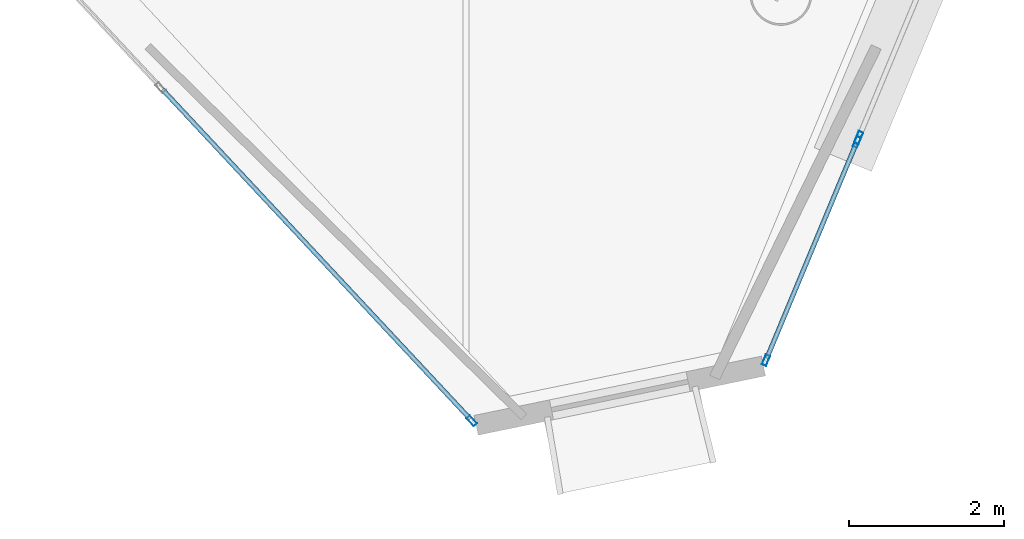
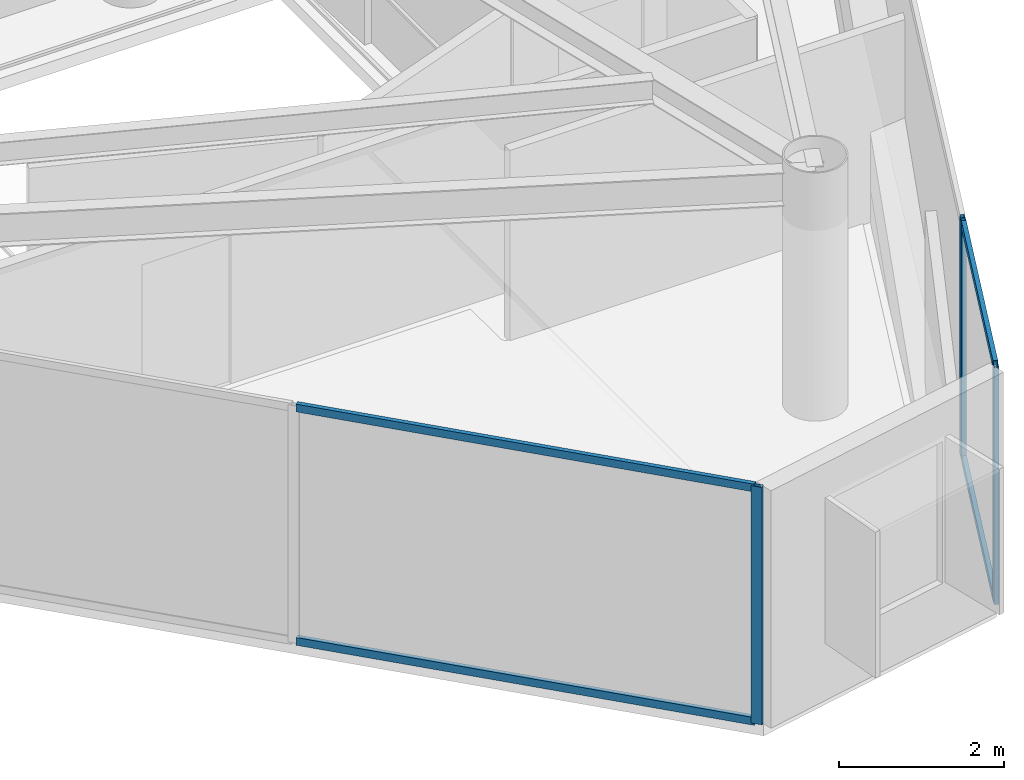
# One storey, part 4 of 19: 8 members, 3 elements without a shape of their own.
"""IFC4 building model written with IfcOpenShell, lengths in metres."""

from ifc_helpers import new_model, si_unit, direction, frame, origin, origin_2d, place, context, subcontext, project, spatial, hollow_rectangle, extrude, material, layer, layer_set, material_profile, profile_set, type_object, element, aggregate, save


model = new_model("IFC4")

# Units and contexts
model_context = context("Model", 3, precision=1e-05, world=origin(), true_north=direction((0.0, 1.0)))
body_context = subcontext(model_context, "Body", "Model", "MODEL_VIEW")
ifc_project = project(units=[si_unit("LENGTHUNIT", "METRE"), si_unit("AREAUNIT", "SQUARE_METRE"), si_unit("VOLUMEUNIT", "CUBIC_METRE"), si_unit("PLANEANGLEUNIT", "RADIAN"), si_unit("MASSUNIT", "GRAM", prefix="KILO")], contexts=[model_context])

# Site, building, storey
site_placement = place(None, origin())
site = spatial("IfcSite", under=ifc_project, at=site_placement, CompositionType="ELEMENT")
building_placement = place(site_placement, origin())
building = spatial("IfcBuilding", under=site, at=building_placement, Name="Qianvela Tower", CompositionType="ELEMENT")
storey_placement = place(building_placement, frame((0.0, 0.0, 333.300048828125)))
storey = spatial("IfcBuildingStorey", under=building, at=storey_placement, Name="L86", CompositionType="ELEMENT", Elevation=333.300048828125)

# Curtain wall, member
ifc_material_1 = material(Name="Anodised Architectural Aluminium and Insulated Spandrel Panel", Category="aluminium")
ifc_layer_1 = layer(ifc_material_1, 0.179931640625)
ifc_layer_set_1 = layer_set([ifc_layer_1], Name="Anodised Architectural Aluminium and Insulated Spandrel Panel")
curtain_wall_type_1 = type_object("IfcCurtainWallType", Name="CW-BRACEBAY", PredefinedType="USERDEFINED", material=ifc_layer_set_1)
curtain_wall_1_placement = place(storey_placement, origin())
curtain_wall_1 = element("IfcCurtainWall", 1, at=curtain_wall_1_placement, inside=storey, type_object=curtain_wall_type_1, Name="L86 CW-BRACEBAY Curtain Wall 06B", ObjectType="CURTAIN_WALL_SYSTEM", PredefinedType="USERDEFINED")
ifc_material_2 = material(Name="Anodised Architectural Aluminium 6063-T6", Category="aluminium")
ifc_material_profile_1 = material_profile(ifc_material_2, hollow_rectangle(XDim=0.06494140625, YDim=0.159912109375, WallThickness=0.0048828125, at=origin_2d()), Name="ALU-MULL-65x160")
ifc_profile_set_1 = profile_set([ifc_material_profile_1], Name="Anodised Architectural Aluminium 6063-T6")
member_type_1 = type_object("IfcMemberType", Name="CW-BRACEBAY-MULL", PredefinedType="MULLION", material=ifc_profile_set_1)
member_1_placement = place(storey_placement, frame((42.22119140625, 10.24169921875, 0.0), z_axis=(0.0, 0.0, 1.0), x_axis=(-0.923163052231, 0.38440860942, 0.0)))
member_1 = element("IfcMember", 2, at=member_1_placement, type_object=member_type_1, Name="CW-9 mullion 1", PredefinedType="MULLION", context=body_context, shape_type="SweptSolid", body=[
    extrude(hollow_rectangle(XDim=0.06494140625, YDim=0.159912109375, WallThickness=0.0048828125, at=origin_2d()), origin(), (0.0, 0.0, 1.0), 3.52001953125),
])
aggregate(curtain_wall_1, [member_1])

ifc_material_3 = material(Name="Anodised Architectural Aluminium and Low-E Glass", Category="aluminium")
ifc_layer_2 = layer(ifc_material_3, 0.14990234375)
ifc_layer_set_2 = layer_set([ifc_layer_2], Name="Anodised Architectural Aluminium and Low-E Glass")
curtain_wall_type_2 = type_object("IfcCurtainWallType", Name="CW-COLIV-Z78", PredefinedType="USERDEFINED", material=ifc_layer_set_2)
curtain_wall_2_placement = place(storey_placement, origin())
curtain_wall_2 = element("IfcCurtainWall", 3, at=curtain_wall_2_placement, inside=storey, type_object=curtain_wall_type_2, Name="L86 CW-COLIV-Z78 Curtain Wall 04C", ObjectType="CURTAIN_WALL_SYSTEM", PredefinedType="USERDEFINED")
ifc_material_4 = material(Name="Anodised Architectural Aluminium 6063-T6", Category="aluminium")
ifc_material_profile_2 = material_profile(ifc_material_4, hollow_rectangle(XDim=0.06005859375, YDim=0.139892578125, WallThickness=0.00439453125, at=origin_2d()), Name="ALU-MULL-60x140")
ifc_profile_set_2 = profile_set([ifc_material_profile_2], Name="Anodised Architectural Aluminium 6063-T6")
member_type_2 = type_object("IfcMemberType", Name="CW-COLIV-Z78-MULL", PredefinedType="MULLION", material=ifc_profile_set_2)
member_2_placement = place(storey_placement, frame((37.231689453125, 6.588134765625, 0.0), z_axis=(0.0, 0.0, 1.0), x_axis=(0.730882490638, 0.682503322247, 0.0)))
member_2 = element("IfcMember", 4, at=member_2_placement, type_object=member_type_2, Name="CW-6 mullion 3", PredefinedType="MULLION", context=body_context, shape_type="SweptSolid", body=[
    extrude(hollow_rectangle(XDim=0.06005859375, YDim=0.139892578125, WallThickness=0.00439453125, at=origin_2d()), origin(), (0.0, 0.0, 1.0), 3.52001953125),
])

# Curtain wall, members
curtain_wall_3_placement = place(storey_placement, origin())
curtain_wall_3 = element("IfcCurtainWall", 5, at=curtain_wall_3_placement, inside=storey, type_object=curtain_wall_type_2, Name="L86 CW-COLIV-Z78 Curtain Wall 06A", ObjectType="CURTAIN_WALL_SYSTEM", PredefinedType="USERDEFINED")
member_3_placement = place(storey_placement, frame((41.024658203125, 7.368408203125, 0.0), z_axis=(0.0, 0.0, 1.0), x_axis=(-0.923162519332, 0.384409889182, 0.0)))
member_3 = element("IfcMember", 6, at=member_3_placement, type_object=member_type_2, Name="CW-6 mullion 1", PredefinedType="MULLION", context=body_context, shape_type="SweptSolid", body=[
    extrude(hollow_rectangle(XDim=0.06005859375, YDim=0.139892578125, WallThickness=0.00439453125, at=origin_2d()), origin(), (0.0, 0.0, 1.0), 3.52001953125),
])
member_4_placement = place(storey_placement, frame((42.197265625, 10.18408203125, 0.0), z_axis=(0.0, 0.0, 1.0), x_axis=(-0.923162519332, 0.384409889182, 0.0)))
member_4 = element("IfcMember", 7, at=member_4_placement, type_object=member_type_2, Name="CW-6 mullion 2", PredefinedType="MULLION", context=body_context, shape_type="SweptSolid", body=[
    extrude(hollow_rectangle(XDim=0.06005859375, YDim=0.139892578125, WallThickness=0.00439453125, at=origin_2d()), origin(), (0.0, 0.0, 1.0), 3.52001953125),
])

# Member
ifc_material_5 = material(Name="Anodised Architectural Aluminium 6063-T6", Category="aluminium")
ifc_material_profile_3 = material_profile(ifc_material_5, hollow_rectangle(XDim=0.06005859375, YDim=0.114990234375, WallThickness=0.00390625, at=origin_2d()), Name="ALU-TRAN-60x115")
ifc_profile_set_3 = profile_set([ifc_material_profile_3], Name="Anodised Architectural Aluminium 6063-T6")
member_type_3 = type_object("IfcMemberType", Name="CW-COLIV-Z78-TRAN", PredefinedType="USERDEFINED", material=ifc_profile_set_3)
member_5_placement = place(storey_placement, frame((33.2392578125, 10.863525390625, 0.030029296875), z_axis=(0.682508055154, -0.730878070987, 0.0), x_axis=(0.730878070987, 0.682508055154, 0.0)))
member_5 = element("IfcMember", 8, at=member_5_placement, type_object=member_type_3, Name="CW-6 transom 2.1", ObjectType="TRANSOM", PredefinedType="USERDEFINED", context=body_context, shape_type="SweptSolid", body=[
    extrude(hollow_rectangle(XDim=0.06005859375, YDim=0.114990234375, WallThickness=0.00390625, at=origin_2d()), origin(), (0.0, 0.0, 1.0), 5.819580078125),
])

member_6_placement = place(storey_placement, frame((33.2392578125, 10.863525390625, 3.489990234375), z_axis=(0.682508055154, -0.730878070987, 0.0), x_axis=(0.730878070987, 0.682508055154, 0.0)))
member_6 = element("IfcMember", 9, at=member_6_placement, type_object=member_type_3, Name="CW-6 transom 2.2", ObjectType="TRANSOM", PredefinedType="USERDEFINED", context=body_context, shape_type="SweptSolid", body=[
    extrude(hollow_rectangle(XDim=0.06005859375, YDim=0.114990234375, WallThickness=0.00390625, at=origin_2d()), origin(), (0.0, 0.0, 1.0), 5.819580078125),
])

aggregate(curtain_wall_2, [member_2, member_5, member_6])

member_7_placement = place(storey_placement, frame((41.036376953125, 7.39599609375, 0.030029296875), z_axis=(0.384348662093, 0.923188012242, 0.0), x_axis=(-0.923188012242, 0.384348662093, 0.0)))
member_7 = element("IfcMember", 10, at=member_7_placement, type_object=member_type_3, Name="CW-6 transom 1.1", ObjectType="TRANSOM", PredefinedType="USERDEFINED", context=body_context, shape_type="SweptSolid", body=[
    extrude(hollow_rectangle(XDim=0.06005859375, YDim=0.114990234375, WallThickness=0.00390625, at=origin_2d()), origin(), (0.0, 0.0, 1.0), 2.989990234375),
])

member_8_placement = place(storey_placement, frame((41.036376953125, 7.39599609375, 3.489990234375), z_axis=(0.384348662093, 0.923188012242, 0.0), x_axis=(-0.923188012242, 0.384348662093, 0.0)))
member_8 = element("IfcMember", 11, at=member_8_placement, type_object=member_type_3, Name="CW-6 transom 1.2", ObjectType="TRANSOM", PredefinedType="USERDEFINED", context=body_context, shape_type="SweptSolid", body=[
    extrude(hollow_rectangle(XDim=0.06005859375, YDim=0.114990234375, WallThickness=0.00390625, at=origin_2d()), origin(), (0.0, 0.0, 1.0), 2.989990234375),
])

aggregate(curtain_wall_3, [member_3, member_4, member_7, member_8])

save(model, "model.ifc")
